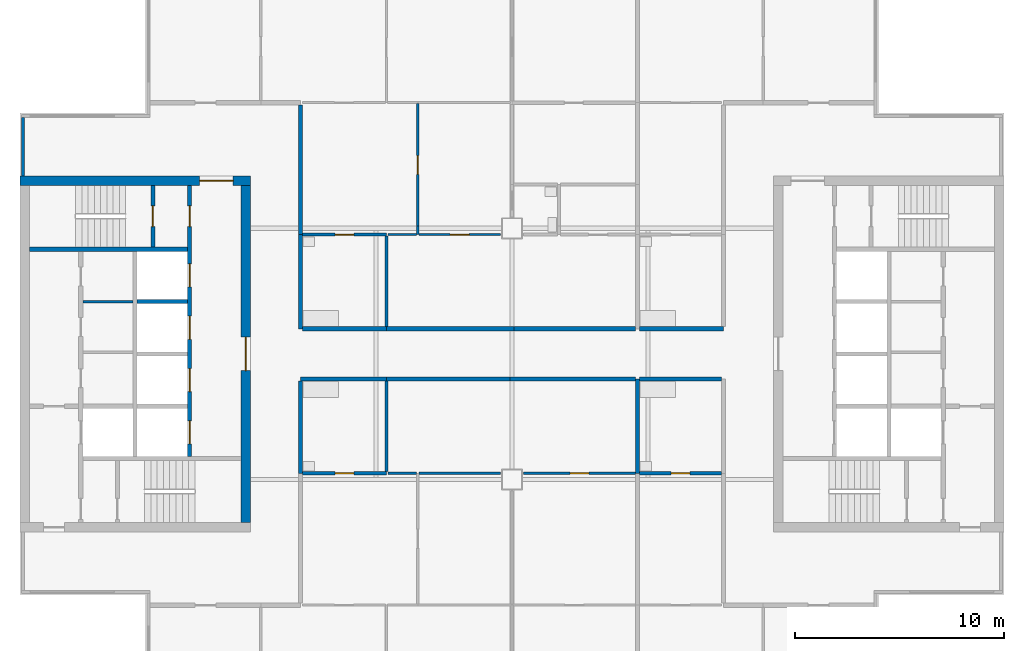
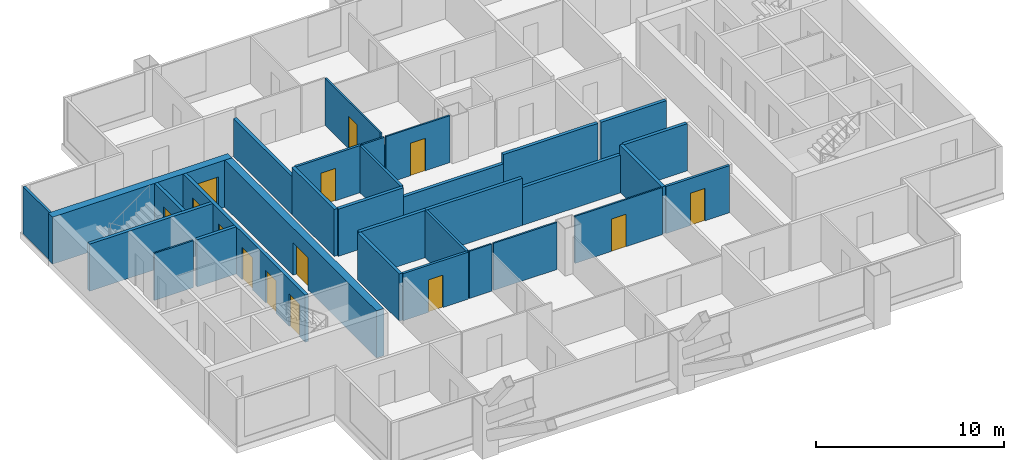
# One storey, part 3 of 8: 32 walls, 14 doors, 14 openings.
"""IFC4 building model written with IfcOpenShell, lengths in metres."""

from ifc_helpers import new_model, si_unit, direction, frame, frame_2d, origin, place, context, subcontext, project, spatial, rectangle, extrude, material, layer, layer_set, type_object, element, fill, save


model = new_model("IFC4")

# Units and contexts
model_context = context("Model", 3, precision=1e-05, world=origin(), true_north=direction((0.0, 1.0)))
body_context = subcontext(model_context, "Body", "Model", "MODEL_VIEW")
ifc_project = project(units=[si_unit("LENGTHUNIT", "METRE"), si_unit("AREAUNIT", "SQUARE_METRE"), si_unit("VOLUMEUNIT", "CUBIC_METRE"), si_unit("PLANEANGLEUNIT", "RADIAN"), si_unit("MASSUNIT", "GRAM", prefix="KILO")], contexts=[model_context])

# Site, building, storey
site_placement = place(None, origin())
site = spatial("IfcSite", under=ifc_project, at=site_placement, CompositionType="ELEMENT")
building_placement = place(site_placement, origin())
building = spatial("IfcBuilding", under=site, at=building_placement, Name="Kitamizu Gate Tower and Museum", CompositionType="ELEMENT")
storey_placement = place(building_placement, frame((0.0, 0.0, 266.25)))
storey = spatial("IfcBuildingStorey", under=building, at=storey_placement, Name="L72", CompositionType="ELEMENT", Elevation=266.25)

# Wall, opening, door
ifc_material_1 = material(Name="Concrete Fc42", Category="concrete")
ifc_layer_1 = layer(ifc_material_1, 0.449951171875)
ifc_layer_set_1 = layer_set([ifc_layer_1], Name="Concrete Fc42")
wall_type_1 = type_object("IfcWallType", Name="Core wall 450 EI 90", PredefinedType="SHEAR", material=ifc_layer_set_1)
wall_1_placement = place(storey_placement, frame((12.5, 38.27490234375, 0.0), z_axis=(0.0, 0.0, 1.0), x_axis=(1.0, 0.0, 0.0)))
wall_1 = element("IfcWall", 1, at=wall_1_placement, inside=storey, type_object=wall_type_1, Name="Core wall WN", PredefinedType="SHEAR", context=body_context, shape_type="SweptSolid", body=[
    extrude(rectangle(XDim=11.0, YDim=0.449951171875, at=frame_2d((5.5, 0.0))), origin(), (0.0, 0.0, 1.0), 3.050048828125),
])
opening_1_placement = place(wall_1_placement, frame((8.574951171875, 0.0, 0.0)))
opening_1 = element("IfcOpeningElement", 2, at=opening_1_placement, cuts=wall_1, Name="Opening L72-035", PredefinedType="OPENING", context=body_context, shape_type="SweptSolid", body=[
    extrude(rectangle(XDim=1.60009765625, YDim=2.10009765625, at=frame_2d((0.800048828125, 1.050048828125))), frame((0.0, 0.23486328125, 0.0), z_axis=(0.0, -1.0, 0.0), x_axis=(1.0, 0.0, 0.0)), (0.0, 0.0, 1.0), 0.469970703125),
])
ifc_material_2 = material(Name="Timber door set", Category="wood")
door_type_1 = type_object("IfcDoorType", Name="Entrance door 1600", OperationType="DOUBLE_DOOR_SINGLE_SWING", PredefinedType="DOOR", material=ifc_material_2)
door_1_placement = place(opening_1_placement, origin())
door_1 = element("IfcDoor", 3, at=door_1_placement, inside=storey, type_object=door_type_1, Name="Lobby door L72-035", OperationType="DOUBLE_DOOR_SINGLE_SWING", OverallHeight=2.10009765625, OverallWidth=1.60009765625, PredefinedType="DOOR", context=body_context, shape_type="SweptSolid", body=[
    extrude(rectangle(XDim=1.60009765625, YDim=2.10009765625, at=frame_2d((0.800048828125, 1.050048828125))), frame((0.0, 0.02490234375, 0.0), z_axis=(0.0, -1.0, 0.0), x_axis=(1.0, 0.0, 0.0)), (0.0, 0.0, 1.0), 0.050048828125),
])
fill(opening_1, door_1)

wall_2_placement = place(storey_placement, frame((23.27490234375, 21.949951171875, 0.0), z_axis=(0.0, 0.0, 1.0), x_axis=(0.0, 1.0, 0.0)))
wall_2 = element("IfcWall", 4, at=wall_2_placement, inside=storey, type_object=wall_type_1, Name="Core wall WARC", PredefinedType="SHEAR", context=body_context, shape_type="SweptSolid", body=[
    extrude(rectangle(XDim=16.10009765625, YDim=0.449951171875, at=frame_2d((8.050048828125, 0.0))), origin(), (0.0, 0.0, 1.0), 3.050048828125),
])
opening_2_placement = place(wall_2_placement, frame((7.25, 0.0, 0.0)))
opening_2 = element("IfcOpeningElement", 5, at=opening_2_placement, cuts=wall_2, Name="Opening L72-036", PredefinedType="OPENING", context=body_context, shape_type="SweptSolid", body=[
    extrude(rectangle(XDim=1.60009765625, YDim=2.10009765625, at=frame_2d((0.800048828125, 1.050048828125))), frame((0.0, 0.23486328125, 0.0), z_axis=(0.0, -1.0, 0.0), x_axis=(1.0, 0.0, 0.0)), (0.0, 0.0, 1.0), 0.469970703125),
])
door_2_placement = place(opening_2_placement, origin())
door_2 = element("IfcDoor", 6, at=door_2_placement, inside=storey, type_object=door_type_1, Name="Lobby door L72-036", OperationType="DOUBLE_DOOR_SINGLE_SWING", OverallHeight=2.10009765625, OverallWidth=1.60009765625, PredefinedType="DOOR", context=body_context, shape_type="SweptSolid", body=[
    extrude(rectangle(XDim=1.60009765625, YDim=2.10009765625, at=frame_2d((0.800048828125, 1.050048828125))), frame((0.0, 0.02490234375, 0.0), z_axis=(0.0, -1.0, 0.0), x_axis=(1.0, 0.0, 0.0)), (0.0, 0.0, 1.0), 0.050048828125),
])
fill(opening_2, door_2)

# Walls
ifc_material_3 = material(Name="Gypsum board on galvanised stud")
ifc_layer_2 = layer(ifc_material_3, 0.10009765625)
ifc_layer_set_2 = layer_set([ifc_layer_2], Name="Gypsum board on galvanised stud")
wall_type_2 = type_object("IfcWallType", Name="Partition 100", PredefinedType="PARTITIONING", material=ifc_layer_set_2)
wall_3_placement = place(storey_placement, frame((15.5, 32.490966796875, 0.0), z_axis=(0.0, 0.0, 1.0), x_axis=(1.0, 0.0, 0.0)))
element("IfcWall", 7, at=wall_3_placement, inside=storey, type_object=wall_type_2, Name="Partition WPF2", PredefinedType="PARTITIONING", context=body_context, shape_type="SweptSolid", body=[
    extrude(rectangle(XDim=2.39990234375, YDim=0.10009765625, at=frame_2d((1.199951171875, 0.0))), origin(), (0.0, 0.0, 1.0), 3.050048828125),
])
ifc_material_4 = material(Name="Gypsum board on galvanised stud")
ifc_layer_3 = layer(ifc_material_4, 0.10009765625)
ifc_layer_set_3 = layer_set([ifc_layer_3], Name="Gypsum board on galvanised stud")
wall_type_3 = type_object("IfcWallType", Name="Partition 100 NOT RATED", PredefinedType="PARTITIONING", material=ifc_layer_set_3)
wall_4_placement = place(storey_placement, frame((31.449951171875, 24.300048828125, 0.0), z_axis=(0.0, 0.0, 1.0), x_axis=(-1.0, 0.0, 0.0)))
element("IfcWall", 8, at=wall_4_placement, inside=storey, type_object=wall_type_3, Name="Partition L72-013", PredefinedType="PARTITIONING", context=body_context, shape_type="SweptSolid", body=[
    extrude(rectangle(XDim=1.375, YDim=0.10009765625, at=frame_2d((0.6875, 0.0))), origin(), (0.0, 0.0, 1.0), 3.050048828125),
])
wall_5_placement = place(storey_placement, frame((35.449951171875, 24.300048828125, 0.0), z_axis=(0.0, 0.0, 1.0), x_axis=(-1.0, 0.0, 0.0)))
element("IfcWall", 9, at=wall_5_placement, inside=storey, type_object=wall_type_3, Name="Partition L72-017", PredefinedType="PARTITIONING", context=body_context, shape_type="SweptSolid", body=[
    extrude(rectangle(XDim=3.89990234375, YDim=0.10009765625, at=frame_2d((1.949951171875, 0.0))), origin(), (0.0, 0.0, 1.0), 3.050048828125),
])

# Wall, opening, door
wall_6_placement = place(storey_placement, frame((41.89990234375, 24.300048828125, 0.0), z_axis=(0.0, 0.0, 1.0), x_axis=(-1.0, 0.0, 0.0)))
wall_6 = element("IfcWall", 10, at=wall_6_placement, inside=storey, type_object=wall_type_3, Name="Partition L72-018", PredefinedType="PARTITIONING", context=body_context, shape_type="SweptSolid", body=[
    extrude(rectangle(XDim=5.349853515625, YDim=0.10009765625, at=frame_2d((2.6748046875, 0.0))), origin(), (0.0, 0.0, 1.0), 3.050048828125),
])
opening_3_placement = place(wall_6_placement, frame((2.22509765625, 0.0, 0.0)))
opening_3 = element("IfcOpeningElement", 11, at=opening_3_placement, cuts=wall_6, Name="Opening L72-009", PredefinedType="OPENING", context=body_context, shape_type="SweptSolid", body=[
    extrude(rectangle(XDim=0.89990234375, YDim=2.10009765625, at=frame_2d((0.449951171875, 1.050048828125))), frame((0.0, 0.06005859375, 0.0), z_axis=(0.0, -1.0, 0.0), x_axis=(1.0, 0.0, 0.0)), (0.0, 0.0, 1.0), 0.1201171875),
])
ifc_material_5 = material(Name="Timber door set", Category="wood")
door_type_2 = type_object("IfcDoorType", Name="Room door 900", OperationType="NOTDEFINED", PredefinedType="DOOR", material=ifc_material_5)
door_3_placement = place(opening_3_placement, origin())
door_3 = element("IfcDoor", 12, at=door_3_placement, inside=storey, type_object=door_type_2, Name="Door L72-009", OperationType="SINGLE_SWING_RIGHT", OverallHeight=2.10009765625, OverallWidth=0.89990234375, PredefinedType="DOOR", context=body_context, shape_type="SweptSolid", body=[
    extrude(rectangle(XDim=0.89990234375, YDim=2.10009765625, at=frame_2d((0.449951171875, 1.050048828125))), frame((0.0, 0.02490234375, 0.0), z_axis=(0.0, -1.0, 0.0), x_axis=(1.0, 0.0, 0.0)), (0.0, 0.0, 1.0), 0.050048828125),
])
fill(opening_3, door_3)

# Wall
wall_7_placement = place(storey_placement, frame((31.5, 35.699951171875, 0.0), z_axis=(0.0, 0.0, 1.0), x_axis=(0.0, 1.0, 0.0)))
element("IfcWall", 13, at=wall_7_placement, inside=storey, type_object=wall_type_3, Name="Partition L72-036", PredefinedType="PARTITIONING", context=body_context, shape_type="SweptSolid", body=[
    extrude(rectangle(XDim=0.400146484375, YDim=0.10009765625, at=frame_2d((0.2001953125, 0.0))), origin(), (0.0, 0.0, 1.0), 2.449951171875),
])

# Wall, opening, door
wall_8_placement = place(storey_placement, frame((31.5, 36.10009765625, 0.0), z_axis=(0.0, 0.0, 1.0), x_axis=(0.0, 1.0, 0.0)))
wall_8 = element("IfcWall", 14, at=wall_8_placement, inside=storey, type_object=wall_type_3, Name="Partition L72-037", PredefinedType="PARTITIONING", context=body_context, shape_type="SweptSolid", body=[
    extrude(rectangle(XDim=5.849853515625, YDim=0.10009765625, at=frame_2d((2.9248046875, 0.0))), origin(), (0.0, 0.0, 1.0), 3.050048828125),
])
opening_4_placement = place(wall_8_placement, frame((2.47509765625, 0.0, 0.0)))
opening_4 = element("IfcOpeningElement", 15, at=opening_4_placement, cuts=wall_8, Name="Opening L72-015", PredefinedType="OPENING", context=body_context, shape_type="SweptSolid", body=[
    extrude(rectangle(XDim=0.89990234375, YDim=2.10009765625, at=frame_2d((0.449951171875, 1.050048828125))), frame((0.0, 0.06005859375, 0.0), z_axis=(0.0, -1.0, 0.0), x_axis=(1.0, 0.0, 0.0)), (0.0, 0.0, 1.0), 0.1201171875),
])
door_4_placement = place(opening_4_placement, frame((0.89990234375, 0.0, 0.0), x_axis=(-1.0, 0.0, 0.0)))
door_4 = element("IfcDoor", 16, at=door_4_placement, inside=storey, type_object=door_type_2, Name="Door L72-015", OperationType="SINGLE_SWING_LEFT", OverallHeight=2.10009765625, OverallWidth=0.89990234375, PredefinedType="DOOR", context=body_context, shape_type="SweptSolid", body=[
    extrude(rectangle(XDim=0.89990234375, YDim=2.10009765625, at=frame_2d((0.449951171875, 1.050048828125))), frame((0.0, 0.02490234375, 0.0), z_axis=(0.0, -1.0, 0.0), x_axis=(1.0, 0.0, 0.0)), (0.0, 0.0, 1.0), 0.050048828125),
])
fill(opening_4, door_4)

# Wall
wall_9_placement = place(storey_placement, frame((30.074951171875, 35.699951171875, 0.0), z_axis=(0.0, 0.0, 1.0), x_axis=(1.0, 0.0, 0.0)))
element("IfcWall", 17, at=wall_9_placement, inside=storey, type_object=wall_type_3, Name="Partition L72-039", PredefinedType="PARTITIONING", context=body_context, shape_type="SweptSolid", body=[
    extrude(rectangle(XDim=1.375, YDim=0.10009765625, at=frame_2d((0.6875, 0.0))), origin(), (0.0, 0.0, 1.0), 3.050048828125),
])

# Wall, opening, door
wall_10_placement = place(storey_placement, frame((31.550048828125, 35.699951171875, 0.0), z_axis=(0.0, 0.0, 1.0), x_axis=(1.0, 0.0, 0.0)))
wall_10 = element("IfcWall", 18, at=wall_10_placement, inside=storey, type_object=wall_type_3, Name="Partition L72-043", PredefinedType="PARTITIONING", context=body_context, shape_type="SweptSolid", body=[
    extrude(rectangle(XDim=3.89990234375, YDim=0.10009765625, at=frame_2d((1.949951171875, 0.0))), origin(), (0.0, 0.0, 1.0), 3.050048828125),
])
opening_5_placement = place(wall_10_placement, frame((1.5, 0.0, 0.0)))
opening_5 = element("IfcOpeningElement", 19, at=opening_5_placement, cuts=wall_10, Name="Opening L72-019", PredefinedType="OPENING", context=body_context, shape_type="SweptSolid", body=[
    extrude(rectangle(XDim=0.89990234375, YDim=2.10009765625, at=frame_2d((0.449951171875, 1.050048828125))), frame((0.0, 0.06005859375, 0.0), z_axis=(0.0, -1.0, 0.0), x_axis=(1.0, 0.0, 0.0)), (0.0, 0.0, 1.0), 0.1201171875),
])
door_5_placement = place(opening_5_placement, origin())
door_5 = element("IfcDoor", 20, at=door_5_placement, inside=storey, type_object=door_type_2, Name="Door L72-019", OperationType="SINGLE_SWING_RIGHT", OverallHeight=2.10009765625, OverallWidth=0.89990234375, PredefinedType="DOOR", context=body_context, shape_type="SweptSolid", body=[
    extrude(rectangle(XDim=0.89990234375, YDim=2.10009765625, at=frame_2d((0.449951171875, 1.050048828125))), frame((0.0, 0.02490234375, 0.0), z_axis=(0.0, -1.0, 0.0), x_axis=(1.0, 0.0, 0.0)), (0.0, 0.0, 1.0), 0.050048828125),
])
fill(opening_5, door_5)

ifc_material_6 = material(Name="Gypsum board on galvanised stud")
ifc_layer_4 = layer(ifc_material_6, 0.14990234375)
ifc_layer_set_4 = layer_set([ifc_layer_4], Name="Gypsum board on galvanised stud")
wall_type_4 = type_object("IfcWallType", Name="Partition 150", PredefinedType="PARTITIONING", material=ifc_layer_set_4)
wall_11_placement = place(storey_placement, frame((30.0, 24.300048828125, 0.0), z_axis=(0.0, 0.0, 1.0), x_axis=(-1.0, 0.0, 0.0)))
wall_11 = element("IfcWall", 21, at=wall_11_placement, inside=storey, type_object=wall_type_4, Name="Partition L72-012", PredefinedType="PARTITIONING", context=body_context, shape_type="SweptSolid", body=[
    extrude(rectangle(XDim=4.0, YDim=0.14990234375, at=frame_2d((2.0, 0.0))), origin(), (0.0, 0.0, 1.0), 3.050048828125),
])
opening_6_placement = place(wall_11_placement, frame((1.550048828125, 0.0, 0.0)))
opening_6 = element("IfcOpeningElement", 22, at=opening_6_placement, cuts=wall_11, Name="Opening L72-008", PredefinedType="OPENING", context=body_context, shape_type="SweptSolid", body=[
    extrude(rectangle(XDim=0.89990234375, YDim=2.10009765625, at=frame_2d((0.449951171875, 1.050048828125))), frame((0.0, 0.0849609375, 0.0), z_axis=(0.0, -1.0, 0.0), x_axis=(1.0, 0.0, 0.0)), (0.0, 0.0, 1.0), 0.169921875),
])
ifc_material_7 = material(Name="Timber door set", Category="wood")
door_type_3 = type_object("IfcDoorType", Name="Bathroom door 900", OperationType="NOTDEFINED", PredefinedType="DOOR", material=ifc_material_7)
door_6_placement = place(opening_6_placement, frame((0.89990234375, 0.0, 0.0), x_axis=(-1.0, 0.0, 0.0)))
door_6 = element("IfcDoor", 23, at=door_6_placement, inside=storey, type_object=door_type_3, Name="Bathroom door L72-008", OperationType="SINGLE_SWING_RIGHT", OverallHeight=2.10009765625, OverallWidth=0.89990234375, PredefinedType="DOOR", context=body_context, shape_type="SweptSolid", body=[
    extrude(rectangle(XDim=0.89990234375, YDim=2.10009765625, at=frame_2d((0.449951171875, 1.050048828125))), frame((0.0, 0.02490234375, 0.0), z_axis=(0.0, -1.0, 0.0), x_axis=(1.0, 0.0, 0.0)), (0.0, 0.0, 1.0), 0.050048828125),
])
fill(opening_6, door_6)

# Wall
wall_12_placement = place(storey_placement, frame((30.0, 24.375, 0.0), z_axis=(0.0, 0.0, 1.0), x_axis=(0.0, 1.0, 0.0)))
element("IfcWall", 24, at=wall_12_placement, inside=storey, type_object=wall_type_4, Name="Partition L72-020", PredefinedType="PARTITIONING", context=body_context, shape_type="SweptSolid", body=[
    extrude(rectangle(XDim=4.324951171875, YDim=0.14990234375, at=frame_2d((2.16259765625, 0.0))), origin(), (0.0, 0.0, 1.0), 3.050048828125),
])

# Wall, opening, door
wall_13_placement = place(storey_placement, frame((26.0, 35.699951171875, 0.0), z_axis=(0.0, 0.0, 1.0), x_axis=(1.0, 0.0, 0.0)))
wall_13 = element("IfcWall", 25, at=wall_13_placement, inside=storey, type_object=wall_type_4, Name="Partition L72-038", PredefinedType="PARTITIONING", context=body_context, shape_type="SweptSolid", body=[
    extrude(rectangle(XDim=4.0, YDim=0.14990234375, at=frame_2d((2.0, 0.0))), origin(), (0.0, 0.0, 1.0), 3.050048828125),
])
opening_7_placement = place(wall_13_placement, frame((1.550048828125, 0.0, 0.0)))
opening_7 = element("IfcOpeningElement", 26, at=opening_7_placement, cuts=wall_13, Name="Opening L72-018", PredefinedType="OPENING", context=body_context, shape_type="SweptSolid", body=[
    extrude(rectangle(XDim=0.89990234375, YDim=2.10009765625, at=frame_2d((0.449951171875, 1.050048828125))), frame((0.0, 0.0849609375, 0.0), z_axis=(0.0, -1.0, 0.0), x_axis=(1.0, 0.0, 0.0)), (0.0, 0.0, 1.0), 0.169921875),
])
door_7_placement = place(opening_7_placement, frame((0.89990234375, 0.0, 0.0), x_axis=(-1.0, 0.0, 0.0)))
door_7 = element("IfcDoor", 27, at=door_7_placement, inside=storey, type_object=door_type_3, Name="Bathroom door L72-018", OperationType="SINGLE_SWING_RIGHT", OverallHeight=2.10009765625, OverallWidth=0.89990234375, PredefinedType="DOOR", context=body_context, shape_type="SweptSolid", body=[
    extrude(rectangle(XDim=0.89990234375, YDim=2.10009765625, at=frame_2d((0.449951171875, 1.050048828125))), frame((0.0, 0.02490234375, 0.0), z_axis=(0.0, -1.0, 0.0), x_axis=(1.0, 0.0, 0.0)), (0.0, 0.0, 1.0), 0.050048828125),
])
fill(opening_7, door_7)

# Wall
wall_14_placement = place(storey_placement, frame((30.0, 31.300048828125, 0.0), z_axis=(0.0, 0.0, 1.0), x_axis=(0.0, 1.0, 0.0)))
element("IfcWall", 28, at=wall_14_placement, inside=storey, type_object=wall_type_4, Name="Partition L72-053", PredefinedType="PARTITIONING", context=body_context, shape_type="SweptSolid", body=[
    extrude(rectangle(XDim=4.324951171875, YDim=0.14990234375, at=frame_2d((2.16259765625, 0.0))), origin(), (0.0, 0.0, 1.0), 3.050048828125),
])

# Wall, opening, door
wall_15_placement = place(storey_placement, frame((46.0, 24.300048828125, 0.0), z_axis=(0.0, 0.0, 1.0), x_axis=(-1.0, 0.0, 0.0)))
wall_15 = element("IfcWall", 29, at=wall_15_placement, inside=storey, type_object=wall_type_4, Name="Partition L72-063", PredefinedType="PARTITIONING", context=body_context, shape_type="SweptSolid", body=[
    extrude(rectangle(XDim=3.89990234375, YDim=0.14990234375, at=frame_2d((1.949951171875, 0.0))), origin(), (0.0, 0.0, 1.0), 3.050048828125),
])
opening_8_placement = place(wall_15_placement, frame((1.5, 0.0, 0.0)))
opening_8 = element("IfcOpeningElement", 30, at=opening_8_placement, cuts=wall_15, Name="Opening L72-024", PredefinedType="OPENING", context=body_context, shape_type="SweptSolid", body=[
    extrude(rectangle(XDim=0.89990234375, YDim=2.10009765625, at=frame_2d((0.449951171875, 1.050048828125))), frame((0.0, 0.0849609375, 0.0), z_axis=(0.0, -1.0, 0.0), x_axis=(1.0, 0.0, 0.0)), (0.0, 0.0, 1.0), 0.169921875),
])
door_8_placement = place(opening_8_placement, frame((0.89990234375, 0.0, 0.0), x_axis=(-1.0, 0.0, 0.0)))
door_8 = element("IfcDoor", 31, at=door_8_placement, inside=storey, type_object=door_type_3, Name="Bathroom door L72-024", OperationType="SINGLE_SWING_RIGHT", OverallHeight=2.10009765625, OverallWidth=0.89990234375, PredefinedType="DOOR", context=body_context, shape_type="SweptSolid", body=[
    extrude(rectangle(XDim=0.89990234375, YDim=2.10009765625, at=frame_2d((0.449951171875, 1.050048828125))), frame((0.0, 0.02490234375, 0.0), z_axis=(0.0, -1.0, 0.0), x_axis=(1.0, 0.0, 0.0)), (0.0, 0.0, 1.0), 0.050048828125),
])
fill(opening_8, door_8)

# Walls
ifc_material_8 = material(Name="Gypsum board on galvanised stud")
ifc_layer_5 = layer(ifc_material_8, 0.199951171875)
ifc_layer_set_5 = layer_set([ifc_layer_5], Name="Gypsum board on galvanised stud")
wall_type_5 = type_object("IfcWallType", Name="Partition 200", PredefinedType="PARTITIONING", material=ifc_layer_set_5)
wall_16_placement = place(storey_placement, frame((30.0, 28.800048828125, 0.0), z_axis=(0.0, 0.0, 1.0), x_axis=(-1.0, 0.0, 0.0)))
element("IfcWall", 32, at=wall_16_placement, inside=storey, type_object=wall_type_5, Name="Partition L72-021", PredefinedType="PARTITIONING", context=body_context, shape_type="SweptSolid", body=[
    extrude(rectangle(XDim=4.10009765625, YDim=0.199951171875, at=frame_2d((2.050048828125, 0.0))), origin(), (0.0, 0.0, 1.0), 3.050048828125),
])
wall_17_placement = place(storey_placement, frame((25.89990234375, 28.699951171875, 0.0), z_axis=(0.0, 0.0, 1.0), x_axis=(0.0, -1.0, 0.0)))
element("IfcWall", 33, at=wall_17_placement, inside=storey, type_object=wall_type_5, Name="Partition L72-022", PredefinedType="PARTITIONING", context=body_context, shape_type="SweptSolid", body=[
    extrude(rectangle(XDim=4.39990234375, YDim=0.199951171875, at=frame_2d((2.199951171875, 0.0))), origin(), (0.0, 0.0, 1.0), 3.050048828125),
])
wall_18_placement = place(storey_placement, frame((42.0, 24.300048828125, 0.0), z_axis=(0.0, 0.0, 1.0), x_axis=(0.0, 1.0, 0.0)))
element("IfcWall", 34, at=wall_18_placement, inside=storey, type_object=wall_type_5, Name="Partition L72-023", PredefinedType="PARTITIONING", context=body_context, shape_type="SweptSolid", body=[
    extrude(rectangle(XDim=4.5, YDim=0.199951171875, at=frame_2d((2.25, 0.0))), origin(), (0.0, 0.0, 1.0), 3.050048828125),
])
wall_19_placement = place(storey_placement, frame((41.89990234375, 28.800048828125, 0.0), z_axis=(0.0, 0.0, 1.0), x_axis=(-1.0, 0.0, 0.0)))
element("IfcWall", 35, at=wall_19_placement, inside=storey, type_object=wall_type_5, Name="Partition L72-024", PredefinedType="PARTITIONING", context=body_context, shape_type="SweptSolid", body=[
    extrude(rectangle(XDim=6.0, YDim=0.199951171875, at=frame_2d((3.0, 0.0))), origin(), (0.0, 0.0, 1.0), 2.449951171875),
])
wall_20_placement = place(storey_placement, frame((35.89990234375, 28.800048828125, 0.0), z_axis=(0.0, 0.0, 1.0), x_axis=(-1.0, 0.0, 0.0)))
element("IfcWall", 36, at=wall_20_placement, inside=storey, type_object=wall_type_5, Name="Partition L72-025", PredefinedType="PARTITIONING", context=body_context, shape_type="SweptSolid", body=[
    extrude(rectangle(XDim=5.89990234375, YDim=0.199951171875, at=frame_2d((2.949951171875, 0.0))), origin(), (0.0, 0.0, 1.0), 3.050048828125),
])
wall_21_placement = place(storey_placement, frame((25.89990234375, 41.89990234375, 0.0), z_axis=(0.0, 0.0, 1.0), x_axis=(0.0, -1.0, 0.0)))
element("IfcWall", 37, at=wall_21_placement, inside=storey, type_object=wall_type_5, Name="Partition L72-040", PredefinedType="PARTITIONING", context=body_context, shape_type="SweptSolid", body=[
    extrude(rectangle(XDim=6.199951171875, YDim=0.199951171875, at=frame_2d((3.10009765625, 0.0))), origin(), (0.0, 0.0, 1.0), 2.449951171875),
])
wall_22_placement = place(storey_placement, frame((25.89990234375, 35.699951171875, 0.0), z_axis=(0.0, 0.0, 1.0), x_axis=(0.0, -1.0, 0.0)))
element("IfcWall", 38, at=wall_22_placement, inside=storey, type_object=wall_type_5, Name="Partition L72-054", PredefinedType="PARTITIONING", context=body_context, shape_type="SweptSolid", body=[
    extrude(rectangle(XDim=4.5, YDim=0.199951171875, at=frame_2d((2.25, 0.0))), origin(), (0.0, 0.0, 1.0), 3.050048828125),
])
wall_23_placement = place(storey_placement, frame((26.0, 31.199951171875, 0.0), z_axis=(0.0, 0.0, 1.0), x_axis=(1.0, 0.0, 0.0)))
element("IfcWall", 39, at=wall_23_placement, inside=storey, type_object=wall_type_5, Name="Partition L72-055", PredefinedType="PARTITIONING", context=body_context, shape_type="SweptSolid", body=[
    extrude(rectangle(XDim=4.0, YDim=0.199951171875, at=frame_2d((2.0, 0.0))), origin(), (0.0, 0.0, 1.0), 3.050048828125),
])
wall_24_placement = place(storey_placement, frame((30.0, 31.199951171875, 0.0), z_axis=(0.0, 0.0, 1.0), x_axis=(1.0, 0.0, 0.0)))
element("IfcWall", 40, at=wall_24_placement, inside=storey, type_object=wall_type_5, Name="Partition L72-057", PredefinedType="PARTITIONING", context=body_context, shape_type="SweptSolid", body=[
    extrude(rectangle(XDim=6.10009765625, YDim=0.199951171875, at=frame_2d((3.050048828125, 0.0))), origin(), (0.0, 0.0, 1.0), 2.449951171875),
])
wall_25_placement = place(storey_placement, frame((36.10009765625, 31.199951171875, 0.0), z_axis=(0.0, 0.0, 1.0), x_axis=(1.0, 0.0, 0.0)))
element("IfcWall", 41, at=wall_25_placement, inside=storey, type_object=wall_type_5, Name="Partition L72-058", PredefinedType="PARTITIONING", context=body_context, shape_type="SweptSolid", body=[
    extrude(rectangle(XDim=5.7998046875, YDim=0.199951171875, at=frame_2d((2.89990234375, 0.0))), origin(), (0.0, 0.0, 1.0), 3.050048828125),
])
wall_26_placement = place(storey_placement, frame((46.0, 28.800048828125, 0.0), z_axis=(0.0, 0.0, 1.0), x_axis=(-1.0, 0.0, 0.0)))
element("IfcWall", 42, at=wall_26_placement, inside=storey, type_object=wall_type_5, Name="Partition L72-066", PredefinedType="PARTITIONING", context=body_context, shape_type="SweptSolid", body=[
    extrude(rectangle(XDim=3.89990234375, YDim=0.199951171875, at=frame_2d((1.949951171875, 0.0))), origin(), (0.0, 0.0, 1.0), 3.050048828125),
])
wall_27_placement = place(storey_placement, frame((42.10009765625, 31.199951171875, 0.0), z_axis=(0.0, 0.0, 1.0), x_axis=(1.0, 0.0, 0.0)))
element("IfcWall", 43, at=wall_27_placement, inside=storey, type_object=wall_type_5, Name="Partition L72-074", PredefinedType="PARTITIONING", context=body_context, shape_type="SweptSolid", body=[
    extrude(rectangle(XDim=4.0, YDim=0.199951171875, at=frame_2d((2.0, 0.0))), origin(), (0.0, 0.0, 1.0), 3.050048828125),
])

# Wall, openings, doors
ifc_material_9 = material(Name="Concrete Fc42", Category="concrete")
ifc_layer_6 = layer(ifc_material_9, 0.199951171875)
ifc_layer_set_6 = layer_set([ifc_layer_6], Name="Concrete Fc42")
wall_type_6 = type_object("IfcWallType", Name="Shaft wall 200", PredefinedType="SOLIDWALL", material=ifc_layer_set_6)
wall_28_placement = place(storey_placement, frame((20.60009765625, 25.10009765625, 0.0), z_axis=(0.0, 0.0, 1.0), x_axis=(0.0, 1.0, 0.0)))
wall_28 = element("IfcWall", 44, at=wall_28_placement, inside=storey, type_object=wall_type_6, Name="Shaft wall WEAST", PredefinedType="SOLIDWALL", context=body_context, shape_type="SweptSolid", body=[
    extrude(rectangle(XDim=12.949951171875, YDim=0.199951171875, at=frame_2d((6.47509765625, 0.0))), origin(), (0.0, 0.0, 1.0), 3.050048828125),
])
opening_9_placement = place(wall_28_placement, frame((0.60009765625, 0.0, 0.0)))
opening_9 = element("IfcOpeningElement", 45, at=opening_9_placement, cuts=wall_28, Name="Opening LD", PredefinedType="OPENING", context=body_context, shape_type="SweptSolid", body=[
    extrude(rectangle(XDim=1.10009765625, YDim=2.10009765625, at=frame_2d((0.550048828125, 1.050048828125))), frame((0.0, 0.10986328125, 0.0), z_axis=(0.0, -1.0, 0.0), x_axis=(1.0, 0.0, 0.0)), (0.0, 0.0, 1.0), 0.219970703125),
])
opening_10_placement = place(wall_28_placement, frame((3.10009765625, 0.0, 0.0)))
opening_10 = element("IfcOpeningElement", 46, at=opening_10_placement, cuts=wall_28, Name="Opening LD", PredefinedType="OPENING", context=body_context, shape_type="SweptSolid", body=[
    extrude(rectangle(XDim=1.10009765625, YDim=2.10009765625, at=frame_2d((0.550048828125, 1.050048828125))), frame((0.0, 0.10986328125, 0.0), z_axis=(0.0, -1.0, 0.0), x_axis=(1.0, 0.0, 0.0)), (0.0, 0.0, 1.0), 0.219970703125),
])
opening_11_placement = place(wall_28_placement, frame((5.60009765625, 0.0, 0.0)))
opening_11 = element("IfcOpeningElement", 47, at=opening_11_placement, cuts=wall_28, Name="Opening LD", PredefinedType="OPENING", context=body_context, shape_type="SweptSolid", body=[
    extrude(rectangle(XDim=1.10009765625, YDim=2.10009765625, at=frame_2d((0.550048828125, 1.050048828125))), frame((0.0, 0.10986328125, 0.0), z_axis=(0.0, -1.0, 0.0), x_axis=(1.0, 0.0, 0.0)), (0.0, 0.0, 1.0), 0.219970703125),
])
opening_12_placement = place(wall_28_placement, frame((8.10009765625, 0.0, 0.0)))
opening_12 = element("IfcOpeningElement", 48, at=opening_12_placement, cuts=wall_28, Name="Opening LD", PredefinedType="OPENING", context=body_context, shape_type="SweptSolid", body=[
    extrude(rectangle(XDim=1.10009765625, YDim=2.10009765625, at=frame_2d((0.550048828125, 1.050048828125))), frame((0.0, 0.10986328125, 0.0), z_axis=(0.0, -1.0, 0.0), x_axis=(1.0, 0.0, 0.0)), (0.0, 0.0, 1.0), 0.219970703125),
])
opening_13_placement = place(wall_28_placement, frame((10.97509765625, 0.0, 0.0)))
opening_13 = element("IfcOpeningElement", 49, at=opening_13_placement, cuts=wall_28, Name="Opening L72-031", PredefinedType="OPENING", context=body_context, shape_type="SweptSolid", body=[
    extrude(rectangle(XDim=1.0, YDim=2.10009765625, at=frame_2d((0.5, 1.050048828125))), frame((0.0, 0.10986328125, 0.0), z_axis=(0.0, -1.0, 0.0), x_axis=(1.0, 0.0, 0.0)), (0.0, 0.0, 1.0), 0.219970703125),
])
ifc_material_10 = material(Name="Hollow metal door set")
door_type_4 = type_object("IfcDoorType", Name="Fire door 1000", OperationType="NOTDEFINED", PredefinedType="DOOR", material=ifc_material_10)
door_9_placement = place(opening_13_placement, origin())
door_9 = element("IfcDoor", 50, at=door_9_placement, inside=storey, type_object=door_type_4, Name="Stair lobby door L72-031", OperationType="SINGLE_SWING_RIGHT", OverallHeight=2.10009765625, OverallWidth=1.0, PredefinedType="DOOR", context=body_context, shape_type="SweptSolid", body=[
    extrude(rectangle(XDim=1.0, YDim=2.10009765625, at=frame_2d((0.5, 1.050048828125))), frame((0.0, 0.02490234375, 0.0), z_axis=(0.0, -1.0, 0.0), x_axis=(1.0, 0.0, 0.0)), (0.0, 0.0, 1.0), 0.050048828125),
])
fill(opening_13, door_9)
ifc_material_11 = material(Name="Hollow metal door set")
door_type_5 = type_object("IfcDoorType", Name="Landing door 1100", OperationType="SLIDING_TO_LEFT", PredefinedType="DOOR", material=ifc_material_11)
door_10_placement = place(opening_9_placement, origin())
door_10 = element("IfcDoor", 51, at=door_10_placement, inside=storey, type_object=door_type_5, Name="Landing door WSV1", OperationType="SLIDING_TO_LEFT", OverallHeight=2.10009765625, OverallWidth=1.10009765625, PredefinedType="DOOR", context=body_context, shape_type="SweptSolid", body=[
    extrude(rectangle(XDim=1.10009765625, YDim=2.10009765625, at=frame_2d((0.550048828125, 1.050048828125))), frame((0.0, 0.02490234375, 0.0), z_axis=(0.0, -1.0, 0.0), x_axis=(1.0, 0.0, 0.0)), (0.0, 0.0, 1.0), 0.050048828125),
])
fill(opening_9, door_10)
door_11_placement = place(opening_10_placement, origin())
door_11 = element("IfcDoor", 52, at=door_11_placement, inside=storey, type_object=door_type_5, Name="Landing door WH1", OperationType="SLIDING_TO_LEFT", OverallHeight=2.10009765625, OverallWidth=1.10009765625, PredefinedType="DOOR", context=body_context, shape_type="SweptSolid", body=[
    extrude(rectangle(XDim=1.10009765625, YDim=2.10009765625, at=frame_2d((0.550048828125, 1.050048828125))), frame((0.0, 0.02490234375, 0.0), z_axis=(0.0, -1.0, 0.0), x_axis=(1.0, 0.0, 0.0)), (0.0, 0.0, 1.0), 0.050048828125),
])
fill(opening_10, door_11)
door_12_placement = place(opening_11_placement, origin())
door_12 = element("IfcDoor", 53, at=door_12_placement, inside=storey, type_object=door_type_5, Name="Landing door WH2", OperationType="SLIDING_TO_LEFT", OverallHeight=2.10009765625, OverallWidth=1.10009765625, PredefinedType="DOOR", context=body_context, shape_type="SweptSolid", body=[
    extrude(rectangle(XDim=1.10009765625, YDim=2.10009765625, at=frame_2d((0.550048828125, 1.050048828125))), frame((0.0, 0.02490234375, 0.0), z_axis=(0.0, -1.0, 0.0), x_axis=(1.0, 0.0, 0.0)), (0.0, 0.0, 1.0), 0.050048828125),
])
fill(opening_11, door_12)
door_13_placement = place(opening_12_placement, origin())
door_13 = element("IfcDoor", 54, at=door_13_placement, inside=storey, type_object=door_type_5, Name="Landing door WH3", OperationType="SLIDING_TO_LEFT", OverallHeight=2.10009765625, OverallWidth=1.10009765625, PredefinedType="DOOR", context=body_context, shape_type="SweptSolid", body=[
    extrude(rectangle(XDim=1.10009765625, YDim=2.10009765625, at=frame_2d((0.550048828125, 1.050048828125))), frame((0.0, 0.02490234375, 0.0), z_axis=(0.0, -1.0, 0.0), x_axis=(1.0, 0.0, 0.0)), (0.0, 0.0, 1.0), 0.050048828125),
])
fill(opening_12, door_13)

# Wall
wall_29_placement = place(storey_placement, frame((12.949951171875, 35.0, 0.0), z_axis=(0.0, 0.0, 1.0), x_axis=(1.0, 0.0, 0.0)))
element("IfcWall", 55, at=wall_29_placement, inside=storey, type_object=wall_type_6, Name="Shaft wall WNB", PredefinedType="SOLIDWALL", context=body_context, shape_type="SweptSolid", body=[
    extrude(rectangle(XDim=7.550048828125, YDim=0.199951171875, at=frame_2d((3.77490234375, 0.0))), origin(), (0.0, 0.0, 1.0), 3.050048828125),
])

# Wall, opening, door
wall_30_placement = place(storey_placement, frame((18.85009765625, 35.10009765625, 0.0), z_axis=(0.0, 0.0, 1.0), x_axis=(0.0, 1.0, 0.0)))
wall_30 = element("IfcWall", 56, at=wall_30_placement, inside=storey, type_object=wall_type_6, Name="Shaft wall WNZ", PredefinedType="SOLIDWALL", context=body_context, shape_type="SweptSolid", body=[
    extrude(rectangle(XDim=2.949951171875, YDim=0.199951171875, at=frame_2d((1.47509765625, 0.0))), origin(), (0.0, 0.0, 1.0), 3.050048828125),
])
opening_14_placement = place(wall_30_placement, frame((0.97509765625, 0.0, 0.0)))
opening_14 = element("IfcOpeningElement", 57, at=opening_14_placement, cuts=wall_30, Name="Opening L72-032", PredefinedType="OPENING", context=body_context, shape_type="SweptSolid", body=[
    extrude(rectangle(XDim=1.0, YDim=2.10009765625, at=frame_2d((0.5, 1.050048828125))), frame((0.0, 0.10986328125, 0.0), z_axis=(0.0, -1.0, 0.0), x_axis=(1.0, 0.0, 0.0)), (0.0, 0.0, 1.0), 0.219970703125),
])
door_14_placement = place(opening_14_placement, origin())
door_14 = element("IfcDoor", 58, at=door_14_placement, inside=storey, type_object=door_type_4, Name="Stair door L72-032", OperationType="SINGLE_SWING_LEFT", OverallHeight=2.10009765625, OverallWidth=1.0, PredefinedType="DOOR", context=body_context, shape_type="SweptSolid", body=[
    extrude(rectangle(XDim=1.0, YDim=2.10009765625, at=frame_2d((0.5, 1.050048828125))), frame((0.0, 0.02490234375, 0.0), z_axis=(0.0, -1.0, 0.0), x_axis=(1.0, 0.0, 0.0)), (0.0, 0.0, 1.0), 0.050048828125),
])
fill(opening_14, door_14)

# Walls
wall_31_placement = place(storey_placement, frame((18.10009765625, 32.5, 0.0), z_axis=(0.0, 0.0, 1.0), x_axis=(1.0, 0.0, 0.0)))
element("IfcWall", 59, at=wall_31_placement, inside=storey, type_object=wall_type_6, Name="Shaft wall WDVE2", PredefinedType="SOLIDWALL", context=body_context, shape_type="SweptSolid", body=[
    extrude(rectangle(XDim=2.39990234375, YDim=0.199951171875, at=frame_2d((1.199951171875, 0.0))), origin(), (0.0, 0.0, 1.0), 3.050048828125),
])
ifc_material_12 = material(Name="Bronze anodised aluminium frame with insulated spandrel and tinted glass", Category="aluminium")
ifc_layer_7 = layer(ifc_material_12, 0.14990234375)
ifc_layer_set_7 = layer_set([ifc_layer_7], Name="Bronze anodised aluminium frame with insulated spandrel and tinted glass")
wall_type_7 = type_object("IfcWallType", Name="WINDOW WALL 150 BRONZE FRAME EI 30", PredefinedType="ELEMENTEDWALL", material=ifc_layer_set_7)
wall_32_placement = place(storey_placement, frame((12.635009765625, 38.5, 0.0), z_axis=(0.0, 0.0, 1.0), x_axis=(0.0, 1.0, 0.0)))
element("IfcWall", 60, at=wall_32_placement, inside=storey, type_object=wall_type_7, Name="Window wall west L72", PredefinedType="ELEMENTEDWALL", context=body_context, shape_type="SweptSolid", body=[
    extrude(rectangle(XDim=2.7900390625, YDim=0.14990234375, at=frame_2d((1.39501953125, 0.0))), origin(), (0.0, 0.0, 1.0), 3.050048828125),
])

save(model, "model.ifc")
